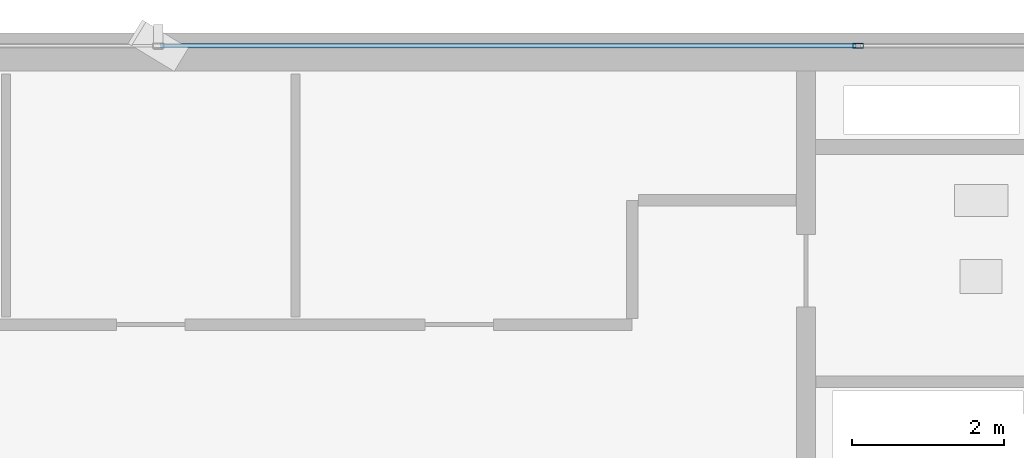
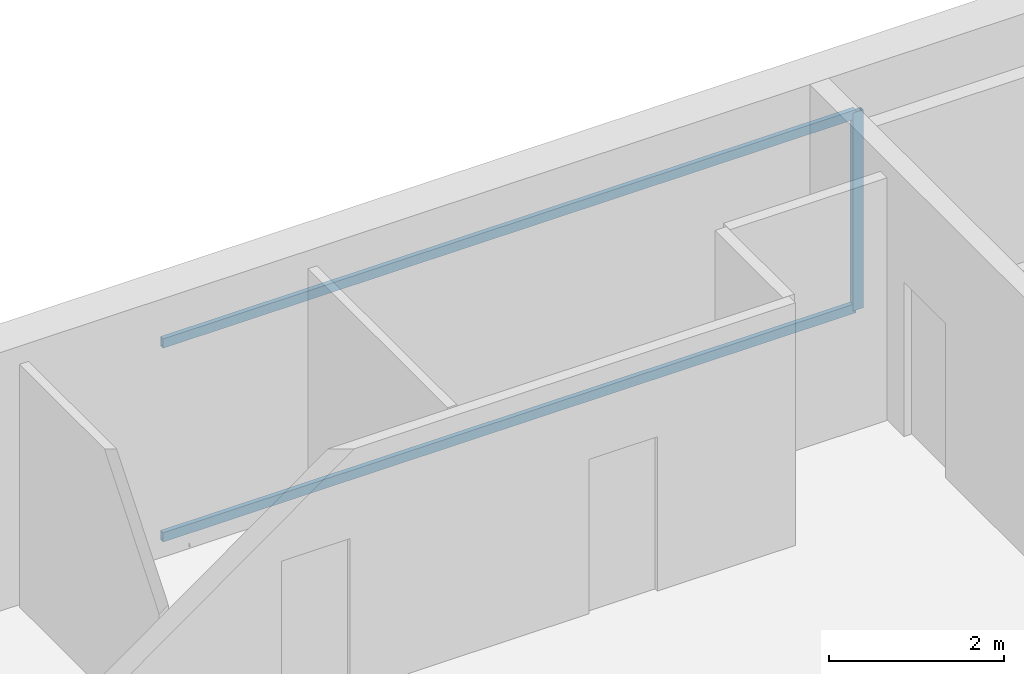
# One storey, part 21 of 28: 3 members, 1 element without a shape of its own.
"""IFC4 building model written with IfcOpenShell, lengths in metres."""

from ifc_helpers import new_model, si_unit, direction, frame, origin, origin_2d, place, context, subcontext, project, spatial, hollow_rectangle, extrude, source, transform, mapped, material, layer, layer_set, material_profile, profile_set, type_object, element, aggregate, save


model = new_model("IFC4")

# Units and contexts
model_context = context("Model", 3, precision=1e-05, world=origin(), true_north=direction((0.0, 1.0)))
body_context = subcontext(model_context, "Body", "Model", "MODEL_VIEW")
ifc_project = project(units=[si_unit("LENGTHUNIT", "METRE"), si_unit("AREAUNIT", "SQUARE_METRE"), si_unit("VOLUMEUNIT", "CUBIC_METRE"), si_unit("PLANEANGLEUNIT", "RADIAN"), si_unit("MASSUNIT", "GRAM", prefix="KILO")], contexts=[model_context])

# Site, building, storey
site_placement = place(None, origin())
site = spatial("IfcSite", under=ifc_project, at=site_placement, CompositionType="ELEMENT")
building_placement = place(site_placement, origin())
building = spatial("IfcBuilding", under=site, at=building_placement, Name="Sumidabori Civic Tower", CompositionType="ELEMENT")
storey_placement = place(building_placement, frame((0.0, 0.0, 210.800048828125)))
storey = spatial("IfcBuildingStorey", under=building, at=storey_placement, Name="L54", CompositionType="ELEMENT", Elevation=210.800048828125)

# Curtain wall, members
ifc_material = material(Name="Anodised Bronze Aluminium AW-6063-T6", Category="aluminium")
ifc_layer = layer(ifc_material, 0.179931640625, Name="Anodised Bronze Aluminium AW-6063-T6")
ifc_layer_set = layer_set([ifc_layer], Name="Anodised Bronze Aluminium AW-6063-T6")
curtain_wall_type = type_object("IfcCurtainWallType", Name="CW-SYS-5", PredefinedType="NOTDEFINED", material=ifc_layer_set)
curtain_wall_placement = place(storey_placement, origin())
curtain_wall = element("IfcCurtainWall", 1, at=curtain_wall_placement, inside=storey, type_object=curtain_wall_type, Name="Curtain Wall CW:L54:R13", PredefinedType="NOTDEFINED")
ifc_material_profile_1 = material_profile(ifc_material, hollow_rectangle(XDim=0.06005859375, YDim=0.139892578125, WallThickness=0.0048828125, at=origin_2d()), Name="ALU MULLION 140x60")
ifc_profile_set_1 = profile_set([ifc_material_profile_1], Name="Anodised Bronze Aluminium AW-6063-T6")
member_type_1 = type_object("IfcMemberType", Name="CW-MUL-140", PredefinedType="MULLION", material=ifc_profile_set_1)
shared_shape_1 = source(origin(), body_context, "Body", "SweptSolid", [
    extrude(hollow_rectangle(XDim=0.06005859375, YDim=0.139892578125, WallThickness=0.0048828125, at=origin_2d()), origin(), (0.0, 0.0, 1.0), 2.760009765625),
])
member_1_placement = place(storey_placement, frame((9.18505859375, 23.8798828125, 0.0), z_axis=(0.0, 0.0, 1.0), x_axis=(0.0, -1.0, 0.0)))
member_1 = element("IfcMember", 2, at=member_1_placement, type_object=member_type_1, Name="CW-5 mullion 2", PredefinedType="MULLION", context=body_context, shape_type="MappedRepresentation", body=[
    mapped(shared_shape_1, transform((0.0, 0.0, 0.0), x_axis=(1.0, 0.0, 0.0), y_axis=(0.0, 1.0, 0.0), z_axis=(0.0, 0.0, 1.0), scale=1.0)),
])
ifc_material_profile_2 = material_profile(ifc_material, hollow_rectangle(XDim=0.06005859375, YDim=0.1298828125, WallThickness=0.0048828125, at=origin_2d()), Name="ALU TRANSOM 130x60")
ifc_profile_set_2 = profile_set([ifc_material_profile_2], Name="Anodised Bronze Aluminium AW-6063-T6")
member_type_2 = type_object("IfcMemberType", Name="CW-TRN-130", PredefinedType="USERDEFINED", material=ifc_profile_set_2)
shared_shape_2 = source(origin(), body_context, "Body", "SweptSolid", [
    extrude(hollow_rectangle(XDim=0.06005859375, YDim=0.1298828125, WallThickness=0.0048828125, at=origin_2d()), origin(), (0.0, 0.0, 1.0), 9.125),
])
member_2_placement = place(storey_placement, frame((9.155029296875, 23.8798828125, 0.030029296875), z_axis=(-1.0, 0.0, 0.0), x_axis=(0.0, -1.0, 0.0)))
member_2 = element("IfcMember", 3, at=member_2_placement, type_object=member_type_2, Name="CW-5 transom 2.1", ObjectType="TRANSOM", PredefinedType="USERDEFINED", context=body_context, shape_type="MappedRepresentation", body=[
    mapped(shared_shape_2, transform((0.0, 0.0, 0.0), x_axis=(1.0, 0.0, 0.0), y_axis=(0.0, 1.0, 0.0), z_axis=(0.0, 0.0, 1.0), scale=1.0)),
])
member_3_placement = place(storey_placement, frame((9.155029296875, 23.8798828125, 2.72998046875), z_axis=(-1.0, 0.0, 0.0), x_axis=(0.0, -1.0, 0.0)))
member_3 = element("IfcMember", 4, at=member_3_placement, type_object=member_type_2, Name="CW-5 transom 2.2", ObjectType="TRANSOM", PredefinedType="USERDEFINED", context=body_context, shape_type="MappedRepresentation", body=[
    mapped(shared_shape_2, transform((0.0, 0.0, 0.0), x_axis=(1.0, 0.0, 0.0), y_axis=(0.0, 1.0, 0.0), z_axis=(0.0, 0.0, 1.0), scale=1.0)),
])
aggregate(curtain_wall, [member_1, member_2, member_3])

save(model, "model.ifc")
